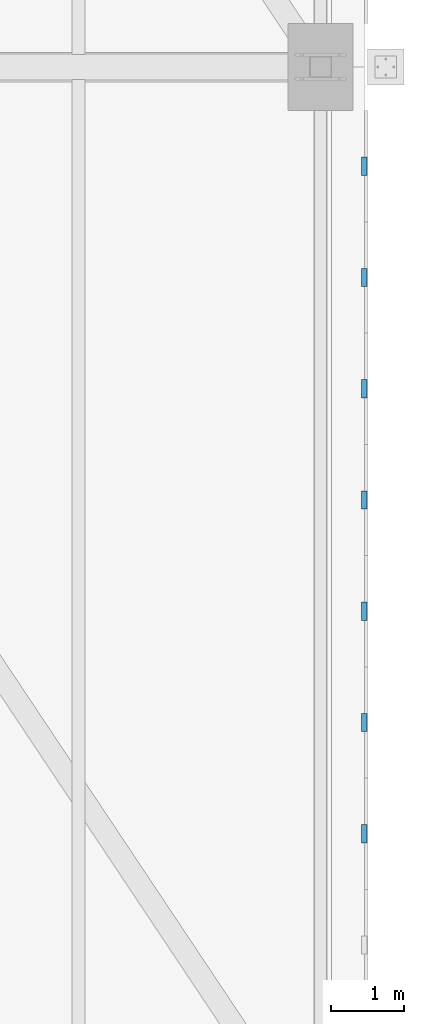
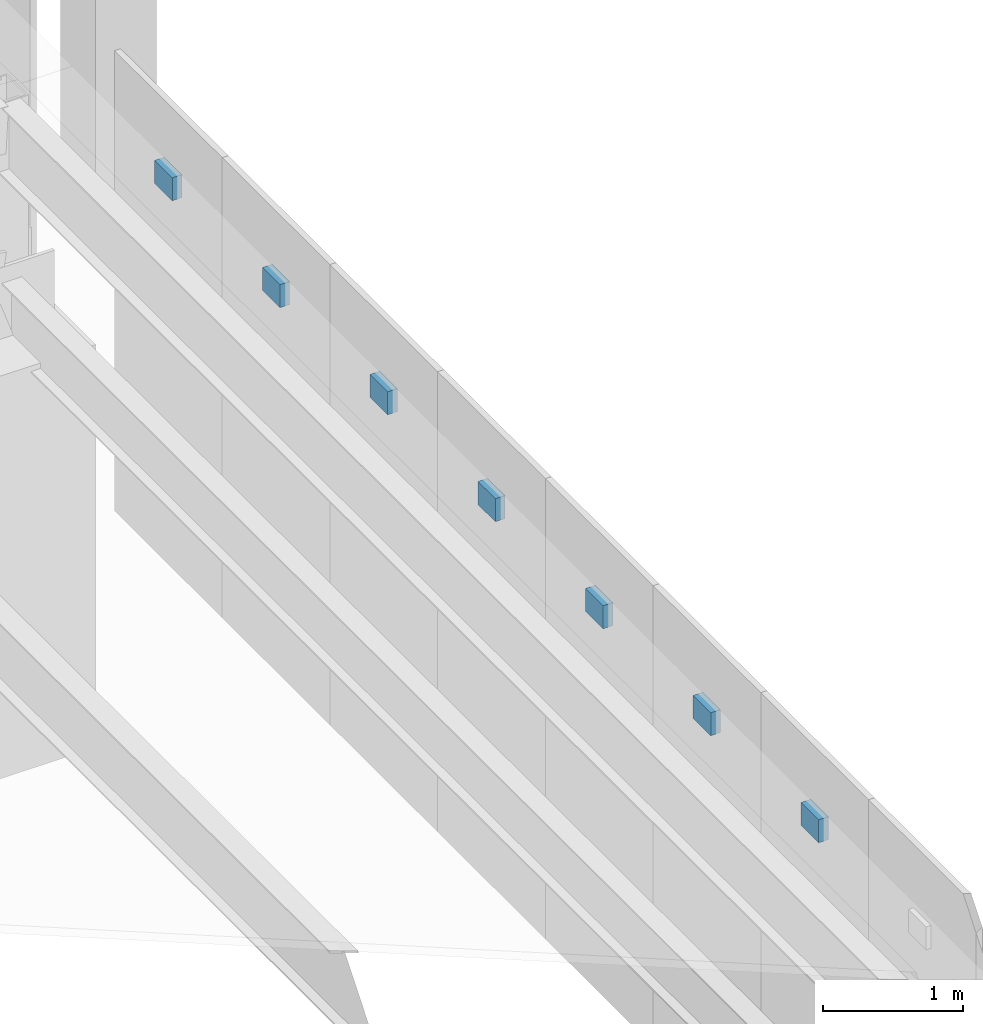
# One storey, part 204 of 278: 7 discrete accessories.
"""IFC4 building model written with IfcOpenShell, lengths in metres."""

from ifc_helpers import new_model, si_unit, direction, frame, origin, origin_2d, place, context, subcontext, project, spatial, rectangle, extrude, material, layer, layer_set, type_object, element, save


model = new_model("IFC4")

# Units and contexts
model_context = context("Model", 3, precision=1e-05, world=origin(), true_north=direction((0.0, 1.0)))
body_context = subcontext(model_context, "Body", "Model", "MODEL_VIEW")
ifc_project = project(units=[si_unit("LENGTHUNIT", "METRE"), si_unit("AREAUNIT", "SQUARE_METRE"), si_unit("VOLUMEUNIT", "CUBIC_METRE"), si_unit("PLANEANGLEUNIT", "RADIAN"), si_unit("MASSUNIT", "GRAM", prefix="KILO")], contexts=[model_context])

# Site, building, storey
site_placement = place(None, origin())
site = spatial("IfcSite", under=ifc_project, at=site_placement, CompositionType="ELEMENT")
building_placement = place(site_placement, origin())
building = spatial("IfcBuilding", under=site, at=building_placement, Name="Ogive Plaza Stadium", CompositionType="ELEMENT")
storey_placement = place(building_placement, frame((0.0, 0.0, 29.0)))
storey = spatial("IfcBuildingStorey", under=building, at=storey_placement, Name="Roof", CompositionType="ELEMENT", Elevation=29.0)

# Discrete accessories
ifc_material = material(Name="Steel ASTM A572 Grade 50", Category="steel")
ifc_layer = layer(ifc_material, 0.080078125)
ifc_layer_set = layer_set([ifc_layer], Name="Steel ASTM A572 Grade 50")
discrete_accessory_type = type_object("IfcDiscreteAccessoryType", Name="Tracery screen bracket 250x200", PredefinedType="BRACKET", material=ifc_layer_set)
for number, where, z_axis, x_axis, name in (
    (1, (84.602294921875, 6.13330078125, 5.25), (0.0, 0.0, 1.0), (0.0, -1.0, 0.0), "TRACERY SCREEN BRACKET B04 1"),
    (2, (84.602294921875, 4.60009765625, 5.25), (0.0, 0.0, 1.0), (0.0, -1.0, 0.0), "TRACERY SCREEN BRACKET B04 2"),
    (3, (84.602294921875, 3.066650390625, 5.25), (0.0, 0.0, 1.0), (0.0, -1.0, 0.0), "TRACERY SCREEN BRACKET B04 3"),
    (4, (84.602294921875, 1.533203125, 5.25), (0.0, 0.0, 1.0), (0.0, -1.0, 0.0), "TRACERY SCREEN BRACKET B04 4"),
    (5, (84.602294921875, 0.0, 5.25), (0.0, 0.0, 1.0), (0.0, -1.0, 0.0), "TRACERY SCREEN BRACKET B04 5"),
    (6, (84.602294921875, -1.533203125, 5.25), (0.0, 0.0, 1.0), (0.0, -1.0, 0.0), "TRACERY SCREEN BRACKET B04 6"),
    (7, (84.602294921875, -3.066650390625, 5.25), (0.0, 0.0, 1.0), (0.0, -1.0, 0.0), "TRACERY SCREEN BRACKET B04 7"),
):
    element("IfcDiscreteAccessory", number, at=place(storey_placement, frame(where, z_axis=z_axis, x_axis=x_axis)), inside=storey, type_object=discrete_accessory_type, Name=name, PredefinedType="BRACKET", context=body_context, shape_type="SweptSolid", body=[
        extrude(rectangle(XDim=0.25, YDim=0.080078125, at=origin_2d()), origin(), (0.0, 0.0, 1.0), 0.199951171875),
    ])

save(model, "model.ifc")
